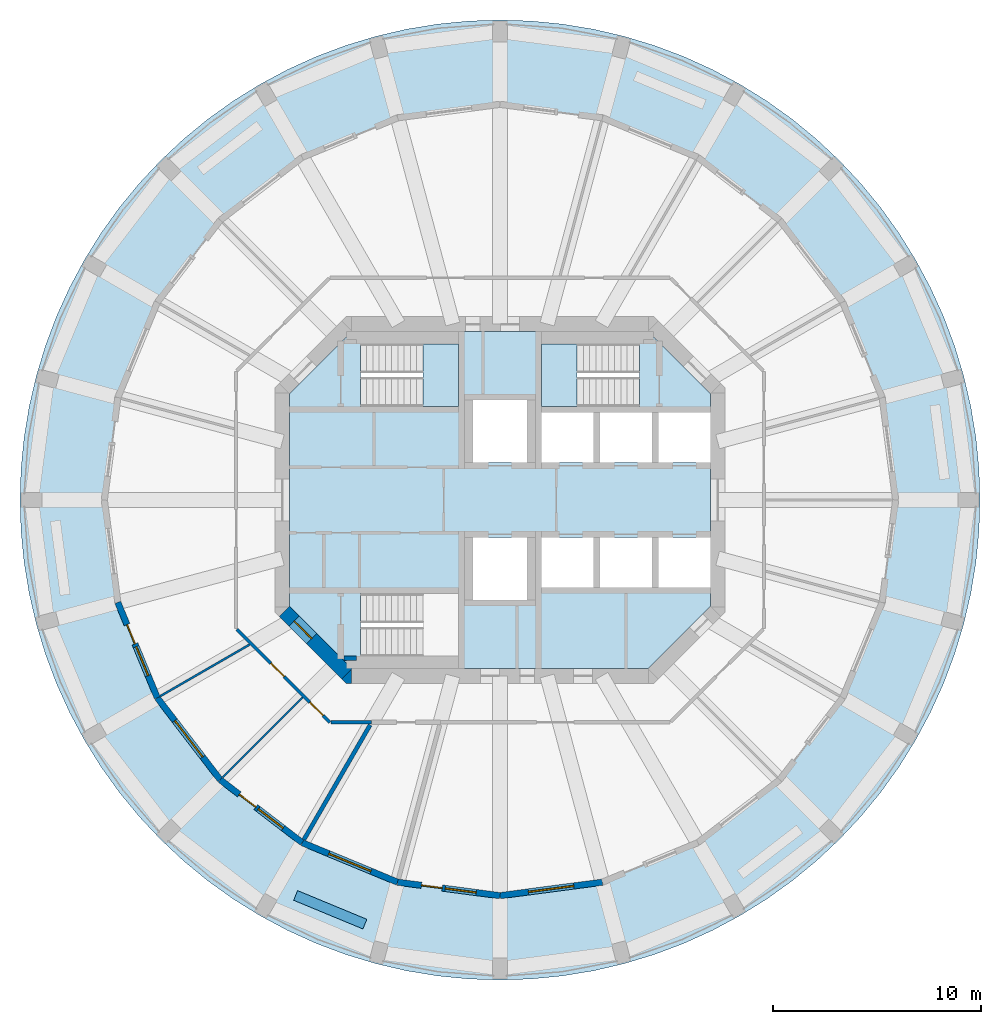
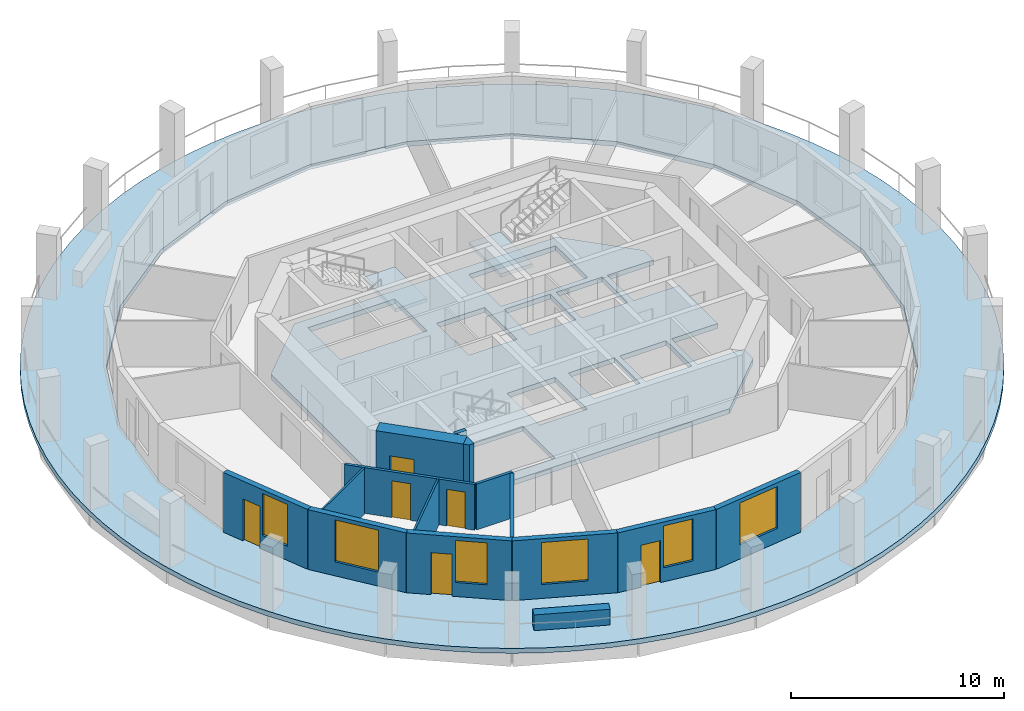
# One storey, part 2 of 9: 15 walls, 6 doors, 6 windows, 4 slabs, 12 openings, 2 elements without a shape of their own.
"""IFC4 building model written with IfcOpenShell, lengths in metres."""

from ifc_helpers import new_model, si_unit, direction, frame, frame_2d, origin, place, context, subcontext, project, spatial, polyline, rectangle, outline, extrude, material, layer, layer_set, type_object, element, fill, aggregate, save


model = new_model("IFC4")

# Units and contexts
model_context = context("Model", 3, precision=1e-05, world=origin(), true_north=direction((0.0, 1.0)))
body_context = subcontext(model_context, "Body", "Model", "MODEL_VIEW")
ifc_project = project(units=[si_unit("LENGTHUNIT", "METRE"), si_unit("AREAUNIT", "SQUARE_METRE"), si_unit("VOLUMEUNIT", "CUBIC_METRE"), si_unit("PLANEANGLEUNIT", "RADIAN"), si_unit("MASSUNIT", "GRAM", prefix="KILO")], contexts=[model_context])

# Site, building, storey
site_placement = place(None, origin())
site = spatial("IfcSite", under=ifc_project, at=site_placement, CompositionType="ELEMENT")
building_placement = place(site_placement, origin())
building = spatial("IfcBuilding", under=site, at=building_placement, Name="Torre Triforio", CompositionType="ELEMENT")
storey_placement = place(building_placement, frame((0.0, 0.0, 154.199951171875)))
storey = spatial("IfcBuildingStorey", under=building, at=storey_placement, Name="L34", CompositionType="ELEMENT", Elevation=154.199951171875)

# Slabs
ifc_material_1 = material(Name="Concrete C50", Category="concrete")
ifc_layer_1 = layer(ifc_material_1, 0.280029296875)
ifc_layer_set_1 = layer_set([ifc_layer_1], Name="Concrete C50")
slab_type_1 = type_object("IfcSlabType", Name="Core floor slab 280 mm C50 REI 120", PredefinedType="FLOOR", material=ifc_layer_set_1)
slab_1_placement = place(storey_placement, frame((0.0, 0.0, -0.280029296875)))
element("IfcSlab", 1, at=slab_1_placement, inside=storey, type_object=slab_type_1, Name="Core floor slab", PredefinedType="FLOOR", context=body_context, shape_type="SweptSolid", body=[
    extrude(outline(polyline([(10.10009765625, -5.10009765625), (7.10009765625, -8.10009765625), (-7.10009765625, -8.10009765625), (-10.10009765625, -5.10009765625), (-10.10009765625, 5.10009765625), (-7.10009765625, 8.10009765625), (7.10009765625, 8.10009765625), (10.10009765625, 5.10009765625), (10.10009765625, 4.199951171875), (7.60009765625, 4.199951171875), (7.60009765625, 1.800048828125), (10.10009765625, 1.800048828125), (10.10009765625, -1.800048828125), (7.60009765625, -1.800048828125), (7.60009765625, -4.199951171875), (10.10009765625, -4.199951171875), (10.10009765625, -5.10009765625)]), holes=[polyline([(-6.696044921875, -4.5), (-6.696044921875, -7.5), (-2.0, -7.5), (-2.0, -4.5), (-6.696044921875, -4.5)]), polyline([(-1.300048828125, -1.800048828125), (-1.300048828125, -4.800048828125), (1.300048828125, -4.800048828125), (1.300048828125, -1.800048828125), (-1.300048828125, -1.800048828125)]), polyline([(2.0, -1.800048828125), (2.0, -4.199951171875), (4.5, -4.199951171875), (4.5, -1.800048828125), (2.0, -1.800048828125)]), polyline([(4.5, 4.199951171875), (2.0, 4.199951171875), (2.0, 1.800048828125), (4.5, 1.800048828125), (4.5, 4.199951171875)]), polyline([(1.300048828125, 4.800048828125), (-1.300048828125, 4.800048828125), (-1.300048828125, 1.800048828125), (1.300048828125, 1.800048828125), (1.300048828125, 4.800048828125)]), polyline([(-6.696044921875, 7.5), (-6.696044921875, 4.5), (-2.0, 4.5), (-2.0, 7.5), (-6.696044921875, 7.5)]), polyline([(7.300048828125, -1.800048828125), (4.800048828125, -1.800048828125), (4.800048828125, -4.199951171875), (7.300048828125, -4.199951171875), (7.300048828125, -1.800048828125)]), polyline([(4.800048828125, 4.199951171875), (4.800048828125, 1.800048828125), (7.300048828125, 1.800048828125), (7.300048828125, 4.199951171875), (4.800048828125, 4.199951171875)]), polyline([(6.696044921875, 7.5), (2.0, 7.5), (2.0, 4.5), (6.696044921875, 4.5), (6.696044921875, 7.5)])]), origin(), (0.0, 0.0, 1.0), 0.280029296875),
])
ifc_material_2 = material(Name="Concrete C40", Category="concrete")
ifc_layer_2 = layer(ifc_material_2, 0.280029296875)
ifc_layer_set_2 = layer_set([ifc_layer_2], Name="Concrete C40")
slab_type_2 = type_object("IfcSlabType", Name="Loggia slab 280 C40", PredefinedType="FLOOR", material=ifc_layer_set_2)
slab_2_placement = place(storey_placement, frame((0.0, 0.0, -0.280029296875)))
element("IfcSlab", 2, at=slab_2_placement, inside=storey, type_object=slab_type_2, Name="SL.L34.LG", PredefinedType="FLOOR", context=body_context, shape_type="SweptSolid", body=[
    extrude(outline(polyline([(23.000732421875, -1.507568359375), (23.050048828125, 0.0), (23.000732421875, 1.507568359375), (22.852783203125, 3.008544921875), (22.607177734375, 4.496826171875), (22.2646484375, 5.9658203125), (21.82666015625, 7.4091796875), (21.29541015625, 8.82080078125), (20.6728515625, 10.19482421875), (19.9619140625, 11.52490234375), (19.165283203125, 12.805908203125), (18.286865234375, 14.031982421875), (17.329833984375, 15.197998046875), (16.298828125, 16.298828125), (15.197998046875, 17.329833984375), (14.031982421875, 18.286865234375), (12.805908203125, 19.165283203125), (11.52490234375, 19.9619140625), (10.19482421875, 20.6728515625), (8.82080078125, 21.29541015625), (7.4091796875, 21.82666015625), (5.9658203125, 22.2646484375), (4.496826171875, 22.607177734375), (3.008544921875, 22.852783203125), (1.507568359375, 23.000732421875), (0.0, 23.050048828125), (-1.507568359375, 23.000732421875), (-3.008544921875, 22.852783203125), (-4.496826171875, 22.607177734375), (-5.9658203125, 22.2646484375), (-7.4091796875, 21.82666015625), (-8.82080078125, 21.29541015625), (-10.19482421875, 20.6728515625), (-11.52490234375, 19.9619140625), (-12.805908203125, 19.165283203125), (-14.031982421875, 18.286865234375), (-15.197998046875, 17.329833984375), (-16.298828125, 16.298828125), (-17.329833984375, 15.197998046875), (-18.286865234375, 14.031982421875), (-19.165283203125, 12.805908203125), (-19.9619140625, 11.52490234375), (-20.6728515625, 10.19482421875), (-21.29541015625, 8.82080078125), (-21.82666015625, 7.4091796875), (-22.2646484375, 5.9658203125), (-22.607177734375, 4.496826171875), (-22.852783203125, 3.008544921875), (-23.000732421875, 1.507568359375), (-23.050048828125, 0.0), (-23.000732421875, -1.507568359375), (-22.852783203125, -3.008544921875), (-22.607177734375, -4.496826171875), (-22.2646484375, -5.9658203125), (-21.82666015625, -7.4091796875), (-21.29541015625, -8.82080078125), (-20.6728515625, -10.19482421875), (-19.9619140625, -11.52490234375), (-19.165283203125, -12.805908203125), (-18.286865234375, -14.031982421875), (-17.329833984375, -15.197998046875), (-16.298828125, -16.298828125), (-15.197998046875, -17.329833984375), (-14.031982421875, -18.286865234375), (-12.805908203125, -19.165283203125), (-11.52490234375, -19.9619140625), (-10.19482421875, -20.6728515625), (-8.82080078125, -21.29541015625), (-7.4091796875, -21.82666015625), (-5.9658203125, -22.2646484375), (-4.496826171875, -22.607177734375), (-3.008544921875, -22.852783203125), (-1.507568359375, -23.000732421875), (0.0, -23.050048828125), (1.507568359375, -23.000732421875), (3.008544921875, -22.852783203125), (4.496826171875, -22.607177734375), (5.9658203125, -22.2646484375), (7.4091796875, -21.82666015625), (8.82080078125, -21.29541015625), (10.19482421875, -20.6728515625), (11.52490234375, -19.9619140625), (12.805908203125, -19.165283203125), (14.031982421875, -18.286865234375), (15.197998046875, -17.329833984375), (16.298828125, -16.298828125), (17.329833984375, -15.197998046875), (18.286865234375, -14.031982421875), (19.165283203125, -12.805908203125), (19.9619140625, -11.52490234375), (20.6728515625, -10.19482421875), (21.29541015625, -8.82080078125), (21.82666015625, -7.4091796875), (22.2646484375, -5.9658203125), (22.607177734375, -4.496826171875), (22.852783203125, -3.008544921875), (23.000732421875, -1.507568359375)]), holes=[polyline([(18.3525390625, 4.91748046875), (19.0, 0.0), (18.3525390625, -4.91748046875), (16.45458984375, -9.5), (13.43505859375, -13.43505859375), (9.5, -16.45458984375), (4.91748046875, -18.3525390625), (0.0, -19.0), (-4.91748046875, -18.3525390625), (-9.5, -16.45458984375), (-13.43505859375, -13.43505859375), (-16.45458984375, -9.5), (-18.3525390625, -4.91748046875), (-19.0, 0.0), (-18.3525390625, 4.91748046875), (-16.45458984375, 9.5), (-13.43505859375, 13.43505859375), (-9.5, 16.45458984375), (-4.91748046875, 18.3525390625), (0.0, 19.0), (4.91748046875, 18.3525390625), (9.5, 16.45458984375), (13.43505859375, 13.43505859375), (16.45458984375, 9.5), (18.3525390625, 4.91748046875)])]), origin(), (0.0, 0.0, 1.0), 0.280029296875),
])

# Stair, slab
stair_type = type_object("IfcStairType", Name="STAIR HALF-TURN", PredefinedType="HALF_TURN_STAIR", material=ifc_material_2)
stair_1_placement = place(storey_placement, origin())
stair_1 = element("IfcStair", 3, at=stair_1_placement, inside=storey, type_object=stair_type, Name="Exit stair 1", PredefinedType="HALF_TURN_STAIR")
ifc_layer_3 = layer(ifc_material_2, 0.199951171875)
ifc_layer_set_3 = layer_set([ifc_layer_3], Name="Concrete C40")
slab_type_3 = type_object("IfcSlabType", Name="STAIR LANDING 200", PredefinedType="LANDING", material=ifc_layer_set_3)
slab_3_placement = place(storey_placement, frame((0.0, 0.0, 1.650146484375)))
slab_3 = element("IfcSlab", 4, at=slab_3_placement, type_object=slab_type_3, Name="ST1 landing 1", PredefinedType="LANDING", context=body_context, shape_type="SweptSolid", body=[
    extrude(outline(polyline([(-2.0, 4.5), (-2.0, 7.5), (-3.699951171875, 7.5), (-3.699951171875, 4.5), (-2.0, 4.5)])), origin(), (0.0, 0.0, 1.0), 0.199951171875),
])
aggregate(stair_1, [slab_3])

stair_2_placement = place(storey_placement, origin())
stair_2 = element("IfcStair", 5, at=stair_2_placement, inside=storey, type_object=stair_type, Name="Exit stair 2", PredefinedType="HALF_TURN_STAIR")
slab_4_placement = place(storey_placement, frame((0.0, 0.0, 1.650146484375)))
slab_4 = element("IfcSlab", 6, at=slab_4_placement, type_object=slab_type_3, Name="ST2 landing 1", PredefinedType="LANDING", context=body_context, shape_type="SweptSolid", body=[
    extrude(outline(polyline([(3.699951171875, 4.5), (3.699951171875, 7.5), (2.0, 7.5), (2.0, 4.5), (3.699951171875, 4.5)])), origin(), (0.0, 0.0, 1.0), 0.199951171875),
])
aggregate(stair_2, [slab_4])

# Wall, opening, door
ifc_layer_4 = layer(ifc_material_1, 0.699951171875)
ifc_layer_set_4 = layer_set([ifc_layer_4], Name="Concrete C50")
wall_type_1 = type_object("IfcWallType", Name="Core wall 700 mm C50 EI 120", PredefinedType="SHEAR", material=ifc_layer_set_4)
wall_1_placement = place(storey_placement, frame((-7.347412109375, -8.347412109375, -0.280029296875), z_axis=(0.0, 0.0, 1.0), x_axis=(-0.707106781187, 0.707106781187, 0.0)))
wall_1 = element("IfcWall", 7, at=wall_1_placement, inside=storey, type_object=wall_type_1, Name="Core wall", PredefinedType="SHEAR", context=body_context, shape_type="SweptSolid", body=[
    extrude(rectangle(XDim=4.24267578125, YDim=0.699951171875, at=frame_2d((2.121337890625, 0.0))), origin(), (0.0, 0.0, 1.0), 3.7001953125),
])
opening_1_placement = place(wall_1_placement, frame((2.392578125, 0.0, 0.280029296875)))
opening_1 = element("IfcOpeningElement", 8, at=opening_1_placement, cuts=wall_1, Name="Opening ST3-EXIT", PredefinedType="OPENING", context=body_context, shape_type="SweptSolid", body=[
    extrude(rectangle(XDim=1.199951171875, YDim=2.10009765625, at=frame_2d((0.60009765625, 1.050048828125))), frame((0.0, 0.35986328125, 0.0), z_axis=(0.0, -1.0, 0.0), x_axis=(1.0, 0.0, 0.0)), (0.0, 0.0, 1.0), 0.719970703125),
])
ifc_material_3 = material(Name="Hollow metal fire door leaf")
door_type_1 = type_object("IfcDoorType", Name="Stair lobby door 1200 x 2100 EI 60", OperationType="NOTDEFINED", PredefinedType="DOOR", material=ifc_material_3)
door_1_placement = place(opening_1_placement, origin())
door_1 = element("IfcDoor", 9, at=door_1_placement, inside=storey, type_object=door_type_1, Name="Core door ST3-EXIT", OperationType="SINGLE_SWING_RIGHT", OverallHeight=2.10009765625, OverallWidth=1.199951171875, PredefinedType="DOOR", context=body_context, shape_type="SweptSolid", body=[
    extrude(rectangle(XDim=1.199951171875, YDim=2.10009765625, at=frame_2d((0.60009765625, 1.050048828125))), frame((0.0, 0.02490234375, 0.0), z_axis=(0.0, -1.0, 0.0), x_axis=(1.0, 0.0, 0.0)), (0.0, 0.0, 1.0), 0.050048828125),
])
fill(opening_1, door_1)

# Walls
wall_2_placement = place(storey_placement, frame((0.0, 0.0, -0.280029296875)))
element("IfcWall", 10, at=wall_2_placement, inside=storey, type_object=wall_type_1, Name="Core wall", PredefinedType="SHEAR", context=body_context, shape_type="SweptSolid", body=[
    extrude(outline(polyline([(-7.389892578125, -8.800048828125), (-7.594970703125, -8.594970703125), (-7.594970703125, -8.594970703125), (-7.594970703125, -8.594970703125), (-7.1298828125, -8.1298828125), (-7.1298828125, -8.800048828125), (-7.1298828125, -8.800048828125), (-7.389892578125, -8.800048828125)])), origin(), (0.0, 0.0, 1.0), 3.7001953125),
])
ifc_material_4 = material(Name="Plasterboard on metal studs")
ifc_layer_5 = layer(ifc_material_4, 0.14990234375)
ifc_layer_set_5 = layer_set([ifc_layer_5], Name="Plasterboard on metal studs")
wall_type_2 = type_object("IfcWallType", Name="Corridor and tenancy wall 150 mm EI 60", PredefinedType="PARTITIONING", material=ifc_layer_set_5)
wall_3_placement = place(storey_placement, frame((-6.1630859375, -10.675048828125, 0.0), z_axis=(0.0, 0.0, 1.0), x_axis=(-1.0, 0.0, 0.0)))
element("IfcWall", 11, at=wall_3_placement, inside=storey, type_object=wall_type_2, Name="Partition 4", PredefinedType="PARTITIONING", context=body_context, shape_type="SweptSolid", body=[
    extrude(rectangle(XDim=1.950927734375, YDim=0.14990234375, at=frame_2d((0.9755859375, 0.0))), origin(), (0.0, 0.0, 1.0), 2.6201171875),
])

# Wall, openings, doors
wall_4_placement = place(storey_placement, frame((-8.16650390625, -10.675048828125, 0.0), z_axis=(0.0, 0.0, 1.0), x_axis=(-0.707106781187, 0.707106781187, 0.0)))
wall_4 = element("IfcWall", 12, at=wall_4_placement, inside=storey, type_object=wall_type_2, Name="Partition 5", PredefinedType="PARTITIONING", context=body_context, shape_type="SweptSolid", body=[
    extrude(rectangle(XDim=6.323486328125, YDim=0.14990234375, at=frame_2d((3.16162109375, 0.0))), origin(), (0.0, 0.0, 1.0), 2.6201171875),
])
opening_2_placement = place(wall_4_placement, frame((3.109619140625, 0.0, 0.0)))
opening_2 = element("IfcOpeningElement", 13, at=opening_2_placement, cuts=wall_4, Name="Opening O1-10", PredefinedType="OPENING", context=body_context, shape_type="SweptSolid", body=[
    extrude(rectangle(XDim=0.89990234375, YDim=2.10009765625, at=frame_2d((0.449951171875, 1.050048828125))), frame((0.0, 0.0849609375, 0.0), z_axis=(0.0, -1.0, 0.0), x_axis=(1.0, 0.0, 0.0)), (0.0, 0.0, 1.0), 0.169921875),
])
opening_3_placement = place(wall_4_placement, frame((0.4619140625, 0.0, 0.0)))
opening_3 = element("IfcOpeningElement", 14, at=opening_3_placement, cuts=wall_4, Name="Opening O1-11", PredefinedType="OPENING", context=body_context, shape_type="SweptSolid", body=[
    extrude(rectangle(XDim=0.89990234375, YDim=2.10009765625, at=frame_2d((0.449951171875, 1.050048828125))), frame((0.0, 0.0849609375, 0.0), z_axis=(0.0, -1.0, 0.0), x_axis=(1.0, 0.0, 0.0)), (0.0, 0.0, 1.0), 0.169921875),
])
ifc_material_5 = material(Name="Timber", Category="wood")
door_type_2 = type_object("IfcDoorType", Name="Door 900 x 2100 single leaf EI 30", OperationType="NOTDEFINED", PredefinedType="DOOR", material=ifc_material_5)
door_2_placement = place(opening_2_placement, origin())
door_2 = element("IfcDoor", 15, at=door_2_placement, inside=storey, type_object=door_type_2, Name="Door O1-10", OperationType="SINGLE_SWING_LEFT", OverallHeight=2.10009765625, OverallWidth=0.89990234375, PredefinedType="DOOR", context=body_context, shape_type="SweptSolid", body=[
    extrude(rectangle(XDim=0.89990234375, YDim=2.10009765625, at=frame_2d((0.449951171875, 1.050048828125))), frame((0.0, 0.02490234375, 0.0), z_axis=(0.0, -1.0, 0.0), x_axis=(1.0, 0.0, 0.0)), (0.0, 0.0, 1.0), 0.050048828125),
])
fill(opening_2, door_2)
door_3_placement = place(opening_3_placement, origin())
door_3 = element("IfcDoor", 16, at=door_3_placement, inside=storey, type_object=door_type_2, Name="Door O1-11", OperationType="SINGLE_SWING_LEFT", OverallHeight=2.10009765625, OverallWidth=0.89990234375, PredefinedType="DOOR", context=body_context, shape_type="SweptSolid", body=[
    extrude(rectangle(XDim=0.89990234375, YDim=2.10009765625, at=frame_2d((0.449951171875, 1.050048828125))), frame((0.0, 0.02490234375, 0.0), z_axis=(0.0, -1.0, 0.0), x_axis=(1.0, 0.0, 0.0)), (0.0, 0.0, 1.0), 0.050048828125),
])
fill(opening_3, door_3)

# Walls
ifc_layer_6 = layer(ifc_material_4, 0.10009765625)
ifc_layer_set_6 = layer_set([ifc_layer_6], Name="Plasterboard on metal studs")
wall_type_3 = type_object("IfcWallType", Name="Partition 100 mm board on metal studs", PredefinedType="PARTITIONING", material=ifc_layer_set_6)
wall_5_placement = place(storey_placement, frame((-12.025146484375, -6.94287109375, 0.0), z_axis=(0.0, 0.0, 1.0), x_axis=(-0.866025463095, -0.499999897272, 0.0)))
element("IfcWall", 17, at=wall_5_placement, inside=storey, type_object=wall_type_3, Name="Partition 20", PredefinedType="PARTITIONING", context=body_context, shape_type="SweptSolid", body=[
    extrude(rectangle(XDim=4.951171875, YDim=0.10009765625, at=frame_2d((2.4755859375, 0.0))), origin(), (0.0, 0.0, 1.0), 2.6201171875),
])
wall_6_placement = place(storey_placement, frame((-9.473876953125, -9.473876953125, 0.0), z_axis=(0.0, 0.0, 1.0), x_axis=(-0.707106781187, -0.707106781187, 0.0)))
element("IfcWall", 18, at=wall_6_placement, inside=storey, type_object=wall_type_3, Name="Partition 21", PredefinedType="PARTITIONING", context=body_context, shape_type="SweptSolid", body=[
    extrude(rectangle(XDim=5.438720703125, YDim=0.10009765625, at=frame_2d((2.71923828125, 0.0))), origin(), (0.0, 0.0, 1.0), 2.6201171875),
])
ifc_material_6 = material(Name="Masonry block", Category="masonry")
ifc_layer_7 = layer(ifc_material_6, 0.199951171875)
ifc_layer_set_7 = layer_set([ifc_layer_7], Name="Masonry block")
wall_type_4 = type_object("IfcWallType", Name="Plant room wall 200 mm block EI 120", PredefinedType="PARTITIONING", material=ifc_layer_set_7)
wall_7_placement = place(storey_placement, frame((-6.235595703125, -10.800537109375, 0.0), z_axis=(0.0, 0.0, 1.0), x_axis=(-0.500029003625, -0.866008657886, 0.0)))
element("IfcWall", 19, at=wall_7_placement, inside=storey, type_object=wall_type_4, Name="Partition 22", PredefinedType="PARTITIONING", context=body_context, shape_type="SweptSolid", body=[
    extrude(rectangle(XDim=6.365234375, YDim=0.199951171875, at=frame_2d((3.1826171875, 0.0))), origin(), (0.0, 0.0, 1.0), 2.6201171875),
])
ifc_material_7 = material(Name="Limestone cladding", Category="masonry")
ifc_layer_8 = layer(ifc_material_7, 0.10009765625)
ifc_layer_9 = layer(ifc_material_2, 0.39990234375)
ifc_layer_set_8 = layer_set([ifc_layer_8, ifc_layer_9], Name="Limestone cladding / Concrete C40")
wall_type_5 = type_object("IfcWallType", Name="Planter wall 500", PredefinedType="PARAPET", material=ifc_layer_set_8)
wall_8_placement = place(storey_placement, frame((-9.814208984375, -18.98974609375, 0.0), z_axis=(0.0, 0.0, 1.0), x_axis=(0.923875488976, -0.382693194178, 0.0)))
element("IfcWall", 20, at=wall_8_placement, inside=storey, type_object=wall_type_5, Name="Planter L34 bay 17", PredefinedType="PARAPET", context=body_context, shape_type="SweptSolid", body=[
    extrude(rectangle(XDim=3.599853515625, YDim=0.5, at=frame_2d((1.7998046875, 0.0))), origin(), (0.0, 0.0, 1.0), 0.900146484375),
])
ifc_layer_10 = layer(ifc_material_1, 0.199951171875)
ifc_layer_set_9 = layer_set([ifc_layer_10], Name="Concrete C50")
wall_type_6 = type_object("IfcWallType", Name="Stair wall 200 mm C50 EI 120", PredefinedType="SHEAR", material=ifc_layer_set_9)
wall_9_placement = place(storey_placement, frame((-7.5, -7.60009765625, 0.0), z_axis=(0.0, 0.0, 1.0), x_axis=(1.0, 0.0, 0.0)))
element("IfcWall", 21, at=wall_9_placement, inside=storey, type_object=wall_type_6, Name="Stair wall", PredefinedType="SHEAR", context=body_context, shape_type="SweptSolid", body=[
    extrude(rectangle(XDim=0.60009765625, YDim=0.199951171875, at=frame_2d((0.300048828125, 0.0))), origin(), (0.0, 0.0, 1.0), 3.420166015625),
])

# Wall, openings, door, window
ifc_layer_11 = layer(ifc_material_7, 0.10009765625)
ifc_layer_12 = layer(ifc_material_2, 0.199951171875)
ifc_layer_set_10 = layer_set([ifc_layer_11, ifc_layer_12], Name="Limestone cladding / Concrete C40")
wall_type_7 = type_object("IfcWallType", Name="Stone-faced composite wall 300", PredefinedType="STANDARD", material=ifc_layer_set_10)
wall_10_placement = place(storey_placement, frame((-18.3525390625, -4.91748046875, 0.0), z_axis=(0.0, 0.0, 1.0), x_axis=(0.382650301762, -0.923893254961, 0.0)))
wall_10 = element("IfcWall", 22, at=wall_10_placement, inside=storey, type_object=wall_type_7, Name="External wall L34 bay 14", PredefinedType="STANDARD", context=body_context, shape_type="SweptSolid", body=[
    extrude(rectangle(XDim=4.9599609375, YDim=0.300048828125, at=frame_2d((2.47998046875, 0.0))), origin(), (0.0, 0.0, 1.0), 3.420166015625),
])
opening_4_placement = place(wall_10_placement, frame((1.155029296875, 0.0, 0.0)))
opening_4 = element("IfcOpeningElement", 23, at=opening_4_placement, cuts=wall_10, Name="Opening O1-D14", PredefinedType="OPENING", context=body_context, shape_type="SweptSolid", body=[
    extrude(rectangle(XDim=1.0, YDim=2.39990234375, at=frame_2d((0.5, 1.199951171875))), frame((0.0, 0.159912109375, 0.0), z_axis=(0.0, -1.0, 0.0), x_axis=(1.0, 0.0, 0.0)), (0.0, 0.0, 1.0), 0.320068359375),
])
opening_5_placement = place(wall_10_placement, frame((2.304931640625, 0.0, 0.800048828125)))
opening_5 = element("IfcOpeningElement", 24, at=opening_5_placement, cuts=wall_10, Name="Opening O1-W14A", PredefinedType="OPENING", context=body_context, shape_type="SweptSolid", body=[
    extrude(rectangle(XDim=1.5, YDim=2.39990234375, at=frame_2d((0.75, 1.199951171875))), frame((0.0, 0.159912109375, 0.0), z_axis=(0.0, -1.0, 0.0), x_axis=(1.0, 0.0, 0.0)), (0.0, 0.0, 1.0), 0.320068359375),
])
ifc_material_8 = material(Name="Aluminium frame with clear double glazing", Category="aluminium")
door_type_3 = type_object("IfcDoorType", Name="Loggia door 1000 x 2400", OperationType="NOTDEFINED", PredefinedType="DOOR", material=ifc_material_8)
door_4_placement = place(opening_4_placement, origin())
door_4 = element("IfcDoor", 25, at=door_4_placement, inside=storey, type_object=door_type_3, Name="Loggia door L34 bay 14", OperationType="SINGLE_SWING_LEFT", OverallHeight=2.39990234375, OverallWidth=1.0, PredefinedType="DOOR", context=body_context, shape_type="SweptSolid", body=[
    extrude(rectangle(XDim=1.0, YDim=2.39990234375, at=frame_2d((0.5, 1.199951171875))), frame((0.0, 0.02490234375, 0.0), z_axis=(0.0, -1.0, 0.0), x_axis=(1.0, 0.0, 0.0)), (0.0, 0.0, 1.0), 0.050048828125),
])
fill(opening_4, door_4)
window_type_1 = type_object("IfcWindowType", Name="Side window 1500 x 2400", PartitioningType="SINGLE_PANEL", PredefinedType="WINDOW", material=ifc_material_8)
window_1_placement = place(opening_5_placement, origin())
window_1 = element("IfcWindow", 26, at=window_1_placement, inside=storey, type_object=window_type_1, Name="Side window EWN14 L34 bay 14", OverallHeight=2.39990234375, OverallWidth=1.5, PartitioningType="SINGLE_PANEL", PredefinedType="WINDOW", context=body_context, shape_type="SweptSolid", body=[
    extrude(rectangle(XDim=1.5, YDim=2.39990234375, at=frame_2d((0.75, 1.199951171875))), frame((0.0, 0.030029296875, 0.0), z_axis=(0.0, -1.0, 0.0), x_axis=(1.0, 0.0, 0.0)), (0.0, 0.0, 1.0), 0.06005859375),
])
fill(opening_5, window_1)

# Wall, opening, window
wall_11_placement = place(storey_placement, frame((-16.45458984375, -9.5, 0.0), z_axis=(0.0, 0.0, 1.0), x_axis=(0.608768356425, -0.793348024649, 0.0)))
wall_11 = element("IfcWall", 27, at=wall_11_placement, inside=storey, type_object=wall_type_7, Name="External wall L34 bay 15", PredefinedType="STANDARD", context=body_context, shape_type="SweptSolid", body=[
    extrude(rectangle(XDim=4.9599609375, YDim=0.300048828125, at=frame_2d((2.47998046875, 0.0))), origin(), (0.0, 0.0, 1.0), 3.420166015625),
])
opening_6_placement = place(wall_11_placement, frame((1.3798828125, 0.0, 0.800048828125)))
opening_6 = element("IfcOpeningElement", 28, at=opening_6_placement, cuts=wall_11, Name="Opening O1-W15", PredefinedType="OPENING", context=body_context, shape_type="SweptSolid", body=[
    extrude(rectangle(XDim=2.199951171875, YDim=2.39990234375, at=frame_2d((1.10009765625, 1.199951171875))), frame((0.0, 0.159912109375, 0.0), z_axis=(0.0, -1.0, 0.0), x_axis=(1.0, 0.0, 0.0)), (0.0, 0.0, 1.0), 0.320068359375),
])
window_type_2 = type_object("IfcWindowType", Name="Punched window 2200 x 2400", PartitioningType="DOUBLE_PANEL_VERTICAL", PredefinedType="WINDOW", material=ifc_material_8)
window_2_placement = place(opening_6_placement, origin())
window_2 = element("IfcWindow", 29, at=window_2_placement, inside=storey, type_object=window_type_2, Name="Window EWN5 L34 bay 15", OverallHeight=2.39990234375, OverallWidth=2.199951171875, PartitioningType="SINGLE_PANEL", PredefinedType="WINDOW", context=body_context, shape_type="SweptSolid", body=[
    extrude(rectangle(XDim=2.199951171875, YDim=2.39990234375, at=frame_2d((1.10009765625, 1.199951171875))), frame((0.0, 0.030029296875, 0.0), z_axis=(0.0, -1.0, 0.0), x_axis=(1.0, 0.0, 0.0)), (0.0, 0.0, 1.0), 0.06005859375),
])
fill(opening_6, window_2)

# Wall, openings, door, window
wall_12_placement = place(storey_placement, frame((-13.43505859375, -13.43505859375, 0.0), z_axis=(0.0, 0.0, 1.0), x_axis=(0.793348024649, -0.608768356425, 0.0)))
wall_12 = element("IfcWall", 30, at=wall_12_placement, inside=storey, type_object=wall_type_7, Name="External wall L34 bay 16", PredefinedType="STANDARD", context=body_context, shape_type="SweptSolid", body=[
    extrude(rectangle(XDim=4.9599609375, YDim=0.300048828125, at=frame_2d((2.47998046875, 0.0))), origin(), (0.0, 0.0, 1.0), 3.420166015625),
])
opening_7_placement = place(wall_12_placement, frame((1.155029296875, 0.0, 0.0)))
opening_7 = element("IfcOpeningElement", 31, at=opening_7_placement, cuts=wall_12, Name="Opening O1-D16", PredefinedType="OPENING", context=body_context, shape_type="SweptSolid", body=[
    extrude(rectangle(XDim=1.0, YDim=2.39990234375, at=frame_2d((0.5, 1.199951171875))), frame((0.0, 0.159912109375, 0.0), z_axis=(0.0, -1.0, 0.0), x_axis=(1.0, 0.0, 0.0)), (0.0, 0.0, 1.0), 0.320068359375),
])
opening_8_placement = place(wall_12_placement, frame((2.304931640625, 0.0, 0.800048828125)))
opening_8 = element("IfcOpeningElement", 32, at=opening_8_placement, cuts=wall_12, Name="Opening O1-W16A", PredefinedType="OPENING", context=body_context, shape_type="SweptSolid", body=[
    extrude(rectangle(XDim=1.5, YDim=2.39990234375, at=frame_2d((0.75, 1.199951171875))), frame((0.0, 0.159912109375, 0.0), z_axis=(0.0, -1.0, 0.0), x_axis=(1.0, 0.0, 0.0)), (0.0, 0.0, 1.0), 0.320068359375),
])
door_5_placement = place(opening_7_placement, origin())
door_5 = element("IfcDoor", 33, at=door_5_placement, inside=storey, type_object=door_type_3, Name="Loggia door L34 bay 16", OperationType="SINGLE_SWING_LEFT", OverallHeight=2.39990234375, OverallWidth=1.0, PredefinedType="DOOR", context=body_context, shape_type="SweptSolid", body=[
    extrude(rectangle(XDim=1.0, YDim=2.39990234375, at=frame_2d((0.5, 1.199951171875))), frame((0.0, 0.02490234375, 0.0), z_axis=(0.0, -1.0, 0.0), x_axis=(1.0, 0.0, 0.0)), (0.0, 0.0, 1.0), 0.050048828125),
])
fill(opening_7, door_5)
window_3_placement = place(opening_8_placement, origin())
window_3 = element("IfcWindow", 34, at=window_3_placement, inside=storey, type_object=window_type_1, Name="Side window EWN14 L34 bay 16", OverallHeight=2.39990234375, OverallWidth=1.5, PartitioningType="SINGLE_PANEL", PredefinedType="WINDOW", context=body_context, shape_type="SweptSolid", body=[
    extrude(rectangle(XDim=1.5, YDim=2.39990234375, at=frame_2d((0.75, 1.199951171875))), frame((0.0, 0.030029296875, 0.0), z_axis=(0.0, -1.0, 0.0), x_axis=(1.0, 0.0, 0.0)), (0.0, 0.0, 1.0), 0.06005859375),
])
fill(opening_8, window_3)

# Wall, opening, window
wall_13_placement = place(storey_placement, frame((-9.5, -16.45458984375, 0.0), z_axis=(0.0, 0.0, 1.0), x_axis=(0.923893254961, -0.382650301762, 0.0)))
wall_13 = element("IfcWall", 35, at=wall_13_placement, inside=storey, type_object=wall_type_7, Name="External wall L34 bay 17", PredefinedType="STANDARD", context=body_context, shape_type="SweptSolid", body=[
    extrude(rectangle(XDim=4.9599609375, YDim=0.300048828125, at=frame_2d((2.47998046875, 0.0))), origin(), (0.0, 0.0, 1.0), 3.420166015625),
])
opening_9_placement = place(wall_13_placement, frame((1.3798828125, 0.0, 0.800048828125)))
opening_9 = element("IfcOpeningElement", 36, at=opening_9_placement, cuts=wall_13, Name="Opening O1-W17", PredefinedType="OPENING", context=body_context, shape_type="SweptSolid", body=[
    extrude(rectangle(XDim=2.199951171875, YDim=2.39990234375, at=frame_2d((1.10009765625, 1.199951171875))), frame((0.0, 0.159912109375, 0.0), z_axis=(0.0, -1.0, 0.0), x_axis=(1.0, 0.0, 0.0)), (0.0, 0.0, 1.0), 0.320068359375),
])
window_4_placement = place(opening_9_placement, origin())
window_4 = element("IfcWindow", 37, at=window_4_placement, inside=storey, type_object=window_type_2, Name="Window EWN5 L34 bay 17", OverallHeight=2.39990234375, OverallWidth=2.199951171875, PartitioningType="SINGLE_PANEL", PredefinedType="WINDOW", context=body_context, shape_type="SweptSolid", body=[
    extrude(rectangle(XDim=2.199951171875, YDim=2.39990234375, at=frame_2d((1.10009765625, 1.199951171875))), frame((0.0, 0.030029296875, 0.0), z_axis=(0.0, -1.0, 0.0), x_axis=(1.0, 0.0, 0.0)), (0.0, 0.0, 1.0), 0.06005859375),
])
fill(opening_9, window_4)

# Wall, openings, door, window
wall_14_placement = place(storey_placement, frame((-4.91748046875, -18.3525390625, 0.0), z_axis=(0.0, 0.0, 1.0), x_axis=(0.991443234469, -0.130538549191, 0.0)))
wall_14 = element("IfcWall", 38, at=wall_14_placement, inside=storey, type_object=wall_type_7, Name="External wall L34 bay 18", PredefinedType="STANDARD", context=body_context, shape_type="SweptSolid", body=[
    extrude(rectangle(XDim=4.9599609375, YDim=0.300048828125, at=frame_2d((2.47998046875, 0.0))), origin(), (0.0, 0.0, 1.0), 3.420166015625),
])
opening_10_placement = place(wall_14_placement, frame((1.155029296875, 0.0, 0.0)))
opening_10 = element("IfcOpeningElement", 39, at=opening_10_placement, cuts=wall_14, Name="Opening O1-D18", PredefinedType="OPENING", context=body_context, shape_type="SweptSolid", body=[
    extrude(rectangle(XDim=1.0, YDim=2.39990234375, at=frame_2d((0.5, 1.199951171875))), frame((0.0, 0.159912109375, 0.0), z_axis=(0.0, -1.0, 0.0), x_axis=(1.0, 0.0, 0.0)), (0.0, 0.0, 1.0), 0.320068359375),
])
opening_11_placement = place(wall_14_placement, frame((2.304931640625, 0.0, 0.800048828125)))
opening_11 = element("IfcOpeningElement", 40, at=opening_11_placement, cuts=wall_14, Name="Opening O1-W18A", PredefinedType="OPENING", context=body_context, shape_type="SweptSolid", body=[
    extrude(rectangle(XDim=1.5, YDim=2.39990234375, at=frame_2d((0.75, 1.199951171875))), frame((0.0, 0.159912109375, 0.0), z_axis=(0.0, -1.0, 0.0), x_axis=(1.0, 0.0, 0.0)), (0.0, 0.0, 1.0), 0.320068359375),
])
door_6_placement = place(opening_10_placement, origin())
door_6 = element("IfcDoor", 41, at=door_6_placement, inside=storey, type_object=door_type_3, Name="Loggia door L34 bay 18", OperationType="SINGLE_SWING_LEFT", OverallHeight=2.39990234375, OverallWidth=1.0, PredefinedType="DOOR", context=body_context, shape_type="SweptSolid", body=[
    extrude(rectangle(XDim=1.0, YDim=2.39990234375, at=frame_2d((0.5, 1.199951171875))), frame((0.0, 0.02490234375, 0.0), z_axis=(0.0, -1.0, 0.0), x_axis=(1.0, 0.0, 0.0)), (0.0, 0.0, 1.0), 0.050048828125),
])
fill(opening_10, door_6)
window_5_placement = place(opening_11_placement, origin())
window_5 = element("IfcWindow", 42, at=window_5_placement, inside=storey, type_object=window_type_1, Name="Side window EWN14 L34 bay 18", OverallHeight=2.39990234375, OverallWidth=1.5, PartitioningType="SINGLE_PANEL", PredefinedType="WINDOW", context=body_context, shape_type="SweptSolid", body=[
    extrude(rectangle(XDim=1.5, YDim=2.39990234375, at=frame_2d((0.75, 1.199951171875))), frame((0.0, 0.030029296875, 0.0), z_axis=(0.0, -1.0, 0.0), x_axis=(1.0, 0.0, 0.0)), (0.0, 0.0, 1.0), 0.06005859375),
])
fill(opening_11, window_5)

# Wall, opening, window
wall_15_placement = place(storey_placement, frame((0.0, -19.0, 0.0), z_axis=(0.0, 0.0, 1.0), x_axis=(0.991443234469, 0.130538549191, 0.0)))
wall_15 = element("IfcWall", 43, at=wall_15_placement, inside=storey, type_object=wall_type_7, Name="External wall L34 bay 19", PredefinedType="STANDARD", context=body_context, shape_type="SweptSolid", body=[
    extrude(rectangle(XDim=4.9599609375, YDim=0.300048828125, at=frame_2d((2.47998046875, 0.0))), origin(), (0.0, 0.0, 1.0), 3.420166015625),
])
opening_12_placement = place(wall_15_placement, frame((1.3798828125, 0.0, 0.800048828125)))
opening_12 = element("IfcOpeningElement", 44, at=opening_12_placement, cuts=wall_15, Name="Opening O1-W19", PredefinedType="OPENING", context=body_context, shape_type="SweptSolid", body=[
    extrude(rectangle(XDim=2.199951171875, YDim=2.39990234375, at=frame_2d((1.10009765625, 1.199951171875))), frame((0.0, 0.159912109375, 0.0), z_axis=(0.0, -1.0, 0.0), x_axis=(1.0, 0.0, 0.0)), (0.0, 0.0, 1.0), 0.320068359375),
])
window_6_placement = place(opening_12_placement, origin())
window_6 = element("IfcWindow", 45, at=window_6_placement, inside=storey, type_object=window_type_2, Name="Window EWN5 L34 bay 19", OverallHeight=2.39990234375, OverallWidth=2.199951171875, PartitioningType="SINGLE_PANEL", PredefinedType="WINDOW", context=body_context, shape_type="SweptSolid", body=[
    extrude(rectangle(XDim=2.199951171875, YDim=2.39990234375, at=frame_2d((1.10009765625, 1.199951171875))), frame((0.0, 0.030029296875, 0.0), z_axis=(0.0, -1.0, 0.0), x_axis=(1.0, 0.0, 0.0)), (0.0, 0.0, 1.0), 0.06005859375),
])
fill(opening_12, window_6)

save(model, "model.ifc")
